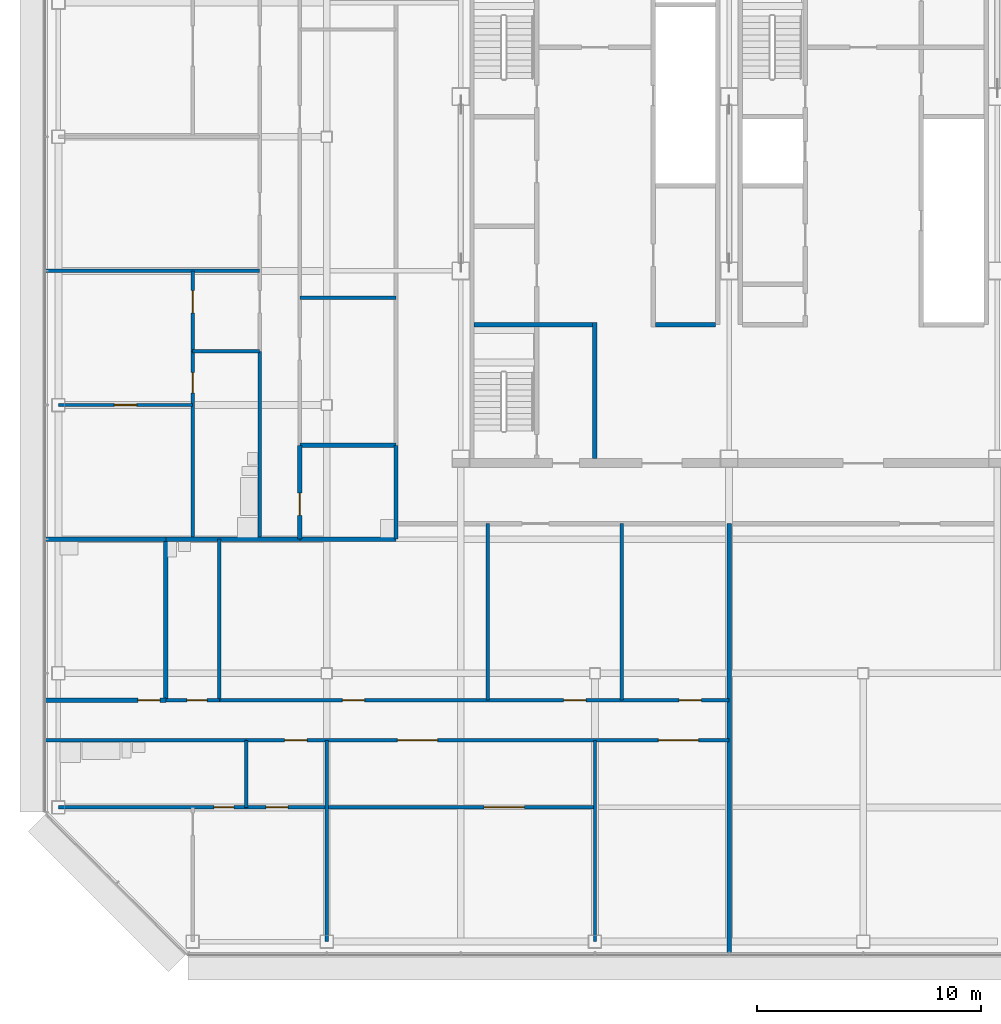
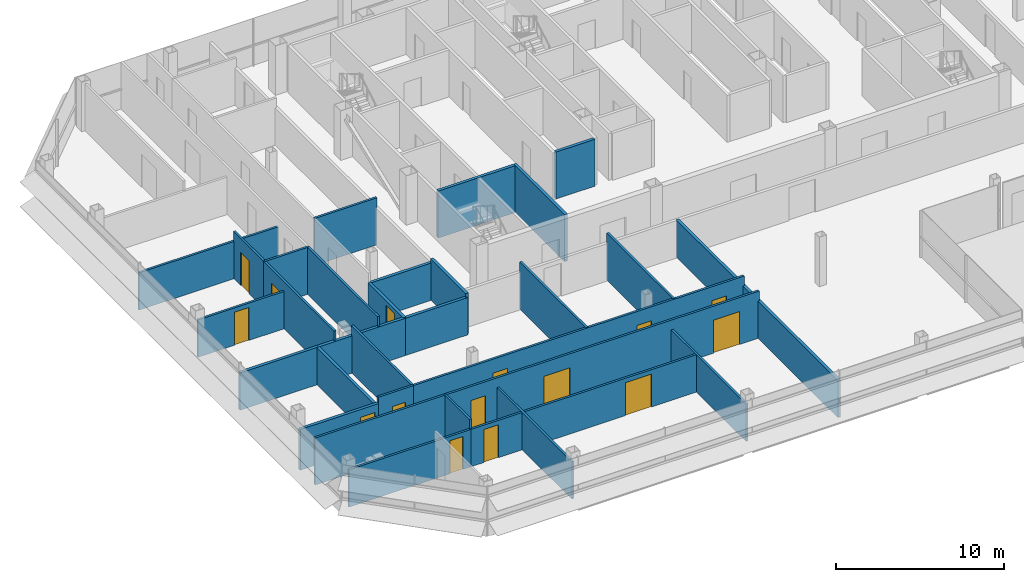
# One storey, part 22 of 30: 31 walls, 15 doors, 15 openings.
"""IFC4 building model written with IfcOpenShell, lengths in metres."""

from ifc_helpers import new_model, si_unit, direction, frame, frame_2d, origin, place, context, subcontext, project, spatial, rectangle, extrude, material, layer, layer_set, type_object, element, fill, save


model = new_model("IFC4")

# Units and contexts
model_context = context("Model", 3, precision=1e-05, world=origin(), true_north=direction((0.0, 1.0)))
body_context = subcontext(model_context, "Body", "Model", "MODEL_VIEW")
ifc_project = project(units=[si_unit("LENGTHUNIT", "METRE"), si_unit("AREAUNIT", "SQUARE_METRE"), si_unit("VOLUMEUNIT", "CUBIC_METRE"), si_unit("PLANEANGLEUNIT", "RADIAN"), si_unit("MASSUNIT", "GRAM", prefix="KILO")], contexts=[model_context])

# Site, building, storey
site_placement = place(None, origin())
site = spatial("IfcSite", under=ifc_project, at=site_placement, CompositionType="ELEMENT")
building_placement = place(site_placement, origin())
building = spatial("IfcBuilding", under=site, at=building_placement, Name="Sorahane Residences", CompositionType="ELEMENT")
storey_placement = place(building_placement, frame((0.0, 0.0, 263.0)))
storey = spatial("IfcBuildingStorey", under=building, at=storey_placement, Name="L62", CompositionType="ELEMENT", Elevation=263.0)

# Walls
ifc_material_1 = material(Name="Concrete blockwork C20 wall", Category="masonry")
ifc_layer_1 = layer(ifc_material_1, 0.199951171875)
ifc_layer_set_1 = layer_set([ifc_layer_1], Name="Corridor wall 200 EI 120")
wall_type_1 = type_object("IfcWallType", Name="Corridor wall 200 EI 120", PredefinedType="SOLIDWALL", material=ifc_layer_set_1)
wall_1_placement = place(storey_placement, frame((18.0, -0.60009765625, 0.0), z_axis=(0.0, 0.0, 1.0), x_axis=(0.0, 1.0, 0.0)))
element("IfcWall", 1, at=wall_1_placement, inside=storey, type_object=wall_type_1, Name="L62 corridor wall", PredefinedType="SOLIDWALL", context=body_context, shape_type="SweptSolid", body=[
    extrude(rectangle(XDim=19.300048828125, YDim=0.199951171875, at=frame_2d((9.64990234375, 0.0))), origin(), (0.0, 0.0, 1.0), 2.719970703125),
])
ifc_material_2 = material(Name="Concrete C30", Category="concrete")
ifc_layer_2 = layer(ifc_material_2, 0.199951171875)
ifc_layer_set_2 = layer_set([ifc_layer_2], Name="Front room wall 200 EI 120")
wall_type_2 = type_object("IfcWallType", Name="Front room wall 200 EI 120", PredefinedType="PARTITIONING", material=ifc_layer_set_2)
wall_2_placement = place(storey_placement, frame((12.0, 21.60009765625, 0.0), z_axis=(0.0, 0.0, 1.0), x_axis=(0.0, 1.0, 0.0)))
element("IfcWall", 2, at=wall_2_placement, inside=storey, type_object=wall_type_2, Name="L62 front room wall", PredefinedType="PARTITIONING", context=body_context, shape_type="SweptSolid", body=[
    extrude(rectangle(XDim=6.099853515625, YDim=0.199951171875, at=frame_2d((3.0498046875, 0.0))), origin(), (0.0, 0.0, 1.0), 3.419921875),
])

# Wall, opening, door
ifc_material_3 = material(Name="Concrete blockwork C20 wall", Category="masonry")
ifc_layer_3 = layer(ifc_material_3, 0.199951171875)
ifc_layer_set_3 = layer_set([ifc_layer_3], Name="Kitchen wall 200 EI 180")
wall_type_3 = type_object("IfcWallType", Name="Kitchen wall 200 EI 180", PredefinedType="SOLIDWALL", material=ifc_layer_set_3)
wall_3_placement = place(storey_placement, frame((-1.199951171875, 18.0, 0.0), z_axis=(0.0, 0.0, 1.0), x_axis=(0.0, 1.0, 0.0)))
wall_3 = element("IfcWall", 3, at=wall_3_placement, inside=storey, type_object=wall_type_3, Name="L62 kitchen wall", PredefinedType="SOLIDWALL", context=body_context, shape_type="SweptSolid", body=[
    extrude(rectangle(XDim=4.199951171875, YDim=0.199951171875, at=frame_2d((2.10009765625, 0.0))), origin(), (0.0, 0.0, 1.0), 2.719970703125),
])
opening_1_placement = place(wall_3_placement, frame((1.06005859375, 0.0, 0.0)))
opening_1 = element("IfcOpeningElement", 4, at=opening_1_placement, cuts=wall_3, Name="Opening L62-14", PredefinedType="OPENING", context=body_context, shape_type="SweptSolid", body=[
    extrude(rectangle(XDim=1.0, YDim=2.39990234375, at=frame_2d((0.5, 1.199951171875))), frame((0.0, 0.10986328125, 0.0), z_axis=(0.0, -1.0, 0.0), x_axis=(1.0, 0.0, 0.0)), (0.0, 0.0, 1.0), 0.219970703125),
])
ifc_material_4 = material(Name="Steel", Category="steel")
door_type_1 = type_object("IfcDoorType", Name="Kitchen door 1000x2400 FD120", OperationType="NOTDEFINED", PredefinedType="DOOR", material=ifc_material_4)
door_1_placement = place(opening_1_placement, frame((1.0, 0.0, 0.0), z_axis=(0.0, 0.0, 1.0), x_axis=(-1.0, 0.0, 0.0)))
door_1 = element("IfcDoor", 5, at=door_1_placement, inside=storey, type_object=door_type_1, Name="Kitchen door L62-14", OperationType="SINGLE_SWING_LEFT", OverallHeight=2.39990234375, OverallWidth=1.0, PredefinedType="DOOR", context=body_context, shape_type="SweptSolid", body=[
    extrude(rectangle(XDim=1.0, YDim=2.39990234375, at=frame_2d((0.5, 1.199951171875))), frame((0.0, 0.02490234375, 0.0), z_axis=(0.0, -1.0, 0.0), x_axis=(1.0, 0.0, 0.0)), (0.0, 0.0, 1.0), 0.050048828125),
])
fill(opening_1, door_1)

# Walls
wall_4_placement = place(storey_placement, frame((-7.199951171875, 10.800048828125, 0.0), z_axis=(0.0, 0.0, 1.0), x_axis=(0.0, 1.0, 0.0)))
element("IfcWall", 6, at=wall_4_placement, inside=storey, type_object=wall_type_3, Name="L62 kitchen wall", PredefinedType="SOLIDWALL", context=body_context, shape_type="SweptSolid", body=[
    extrude(rectangle(XDim=7.199951171875, YDim=0.199951171875, at=frame_2d((3.60009765625, 0.0))), origin(), (0.0, 0.0, 1.0), 2.719970703125),
])
wall_5_placement = place(storey_placement, frame((3.10009765625, 18.0, 0.0), z_axis=(0.0, 0.0, 1.0), x_axis=(0.0, 1.0, 0.0)))
element("IfcWall", 7, at=wall_5_placement, inside=storey, type_object=wall_type_3, Name="L62 kitchen wall", PredefinedType="SOLIDWALL", context=body_context, shape_type="SweptSolid", body=[
    extrude(rectangle(XDim=4.199951171875, YDim=0.199951171875, at=frame_2d((2.10009765625, 0.0))), origin(), (0.0, 0.0, 1.0), 2.969970703125),
])

# Wall, opening, door
wall_6_placement = place(storey_placement, frame((-12.60009765625, 10.800048828125, 0.0), z_axis=(0.0, 0.0, 1.0), x_axis=(1.0, 0.0, 0.0)))
wall_6 = element("IfcWall", 8, at=wall_6_placement, inside=storey, type_object=wall_type_3, Name="L62 kitchen wall", PredefinedType="SOLIDWALL", context=body_context, shape_type="SweptSolid", body=[
    extrude(rectangle(XDim=5.400146484375, YDim=0.199951171875, at=frame_2d((2.7001953125, 0.0))), origin(), (0.0, 0.0, 1.0), 2.969970703125),
])
opening_2_placement = place(wall_6_placement, frame((4.14990234375, 0.0, 0.0)))
opening_2 = element("IfcOpeningElement", 9, at=opening_2_placement, cuts=wall_6, Name="Opening L62-02", PredefinedType="OPENING", context=body_context, shape_type="SweptSolid", body=[
    extrude(rectangle(XDim=1.0, YDim=2.39990234375, at=frame_2d((0.5, 1.199951171875))), frame((0.0, 0.10986328125, 0.0), z_axis=(0.0, -1.0, 0.0), x_axis=(1.0, 0.0, 0.0)), (0.0, 0.0, 1.0), 0.219970703125),
])
door_2_placement = place(opening_2_placement, origin())
door_2 = element("IfcDoor", 10, at=door_2_placement, inside=storey, type_object=door_type_1, Name="Kitchen door L62-02", OperationType="SINGLE_SWING_RIGHT", OverallHeight=2.39990234375, OverallWidth=1.0, PredefinedType="DOOR", context=body_context, shape_type="SweptSolid", body=[
    extrude(rectangle(XDim=1.0, YDim=2.39990234375, at=frame_2d((0.5, 1.199951171875))), frame((0.0, 0.02490234375, 0.0), z_axis=(0.0, -1.0, 0.0), x_axis=(1.0, 0.0, 0.0)), (0.0, 0.0, 1.0), 0.050048828125),
])
fill(opening_2, door_2)

# Walls
wall_7_placement = place(storey_placement, frame((-12.60009765625, 18.0, 0.0), z_axis=(0.0, 0.0, 1.0), x_axis=(1.0, 0.0, 0.0)))
element("IfcWall", 11, at=wall_7_placement, inside=storey, type_object=wall_type_3, Name="L62 kitchen wall", PredefinedType="SOLIDWALL", context=body_context, shape_type="SweptSolid", body=[
    extrude(rectangle(XDim=5.400146484375, YDim=0.199951171875, at=frame_2d((2.7001953125, 0.0))), origin(), (0.0, 0.0, 1.0), 2.719970703125),
])
for number, where, z_axis, x_axis, name in (
    (12, (-1.199951171875, 18.0, 0.0), (0.0, 0.0, 1.0), (1.0, 0.0, 0.0), "L62 kitchen wall"),
    (13, (-1.199951171875, 22.199951171875, 0.0), (0.0, 0.0, 1.0), (1.0, 0.0, 0.0), "L62 kitchen wall"),
):
    element("IfcWall", number, at=place(storey_placement, frame(where, z_axis=z_axis, x_axis=x_axis)), inside=storey, type_object=wall_type_3, Name=name, PredefinedType="SOLIDWALL", context=body_context, shape_type="SweptSolid", body=[
        extrude(rectangle(XDim=4.300048828125, YDim=0.199951171875, at=frame_2d((2.14990234375, 0.0))), origin(), (0.0, 0.0, 1.0), 2.719970703125),
    ])

# Wall, opening, door
ifc_material_5 = material(Name="Gypsum board partition on steel studs", Category="steel")
ifc_layer_4 = layer(ifc_material_5, 0.14990234375)
ifc_layer_set_4 = layer_set([ifc_layer_4], Name="Partition 150 EI 90")
wall_type_4 = type_object("IfcWallType", Name="Partition 150 EI 90", PredefinedType="PARTITIONING", material=ifc_layer_set_4)
wall_8_placement = place(storey_placement, frame((-6.0, 26.39990234375, 0.0), z_axis=(0.0, 0.0, 1.0), x_axis=(0.0, 1.0, 0.0)))
wall_8 = element("IfcWall", 14, at=wall_8_placement, inside=storey, type_object=wall_type_4, Name="L62 partition", PredefinedType="PARTITIONING", context=body_context, shape_type="SweptSolid", body=[
    extrude(rectangle(XDim=3.60009765625, YDim=0.14990234375, at=frame_2d((1.800048828125, 0.0))), origin(), (0.0, 0.0, 1.0), 3.419921875),
])
opening_3_placement = place(wall_8_placement, frame((1.719970703125, 0.0, 0.0)))
opening_3 = element("IfcOpeningElement", 15, at=opening_3_placement, cuts=wall_8, Name="Opening L62-21", PredefinedType="OPENING", context=body_context, shape_type="SweptSolid", body=[
    extrude(rectangle(XDim=1.0, YDim=2.39990234375, at=frame_2d((0.5, 1.199951171875))), frame((0.0, 0.0849609375, 0.0), z_axis=(0.0, -1.0, 0.0), x_axis=(1.0, 0.0, 0.0)), (0.0, 0.0, 1.0), 0.169921875),
])
ifc_material_6 = material(Name="Timber veneered fire door", Category="wood")
door_type_2 = type_object("IfcDoorType", Name="Room door 1000x2400 FD30", OperationType="NOTDEFINED", PredefinedType="DOOR", material=ifc_material_6)
door_3_placement = place(opening_3_placement, origin())
door_3 = element("IfcDoor", 16, at=door_3_placement, inside=storey, type_object=door_type_2, Name="Room door L62-21", OperationType="SINGLE_SWING_RIGHT", OverallHeight=2.39990234375, OverallWidth=1.0, PredefinedType="DOOR", context=body_context, shape_type="SweptSolid", body=[
    extrude(rectangle(XDim=1.0, YDim=2.39990234375, at=frame_2d((0.5, 1.199951171875))), frame((0.0, 0.02490234375, 0.0), z_axis=(0.0, -1.0, 0.0), x_axis=(1.0, 0.0, 0.0)), (0.0, 0.0, 1.0), 0.050048828125),
])
fill(opening_3, door_3)

# Walls
for number, where, z_axis, x_axis, name in (
    (17, (0.0, 0.0, 0.0), (0.0, 0.0, 1.0), (0.0, 1.0, 0.0), "L62 partition"),
    (18, (12.0, 0.0, 0.0), (0.0, 0.0, 1.0), (0.0, 1.0, 0.0), "L62 partition"),
):
    element("IfcWall", number, at=place(storey_placement, frame(where, z_axis=z_axis, x_axis=x_axis)), inside=storey, type_object=wall_type_4, Name=name, PredefinedType="PARTITIONING", context=body_context, shape_type="SweptSolid", body=[
        extrude(rectangle(XDim=9.0, YDim=0.14990234375, at=frame_2d((4.5, 0.0))), origin(), (0.0, 0.0, 1.0), 2.719970703125),
    ])
for number, where, z_axis, x_axis, name in (
    (19, (13.199951171875, 10.800048828125, 0.0), (0.0, 0.0, 1.0), (0.0, 1.0, 0.0), "L62 partition"),
    (20, (7.199951171875, 10.800048828125, 0.0), (0.0, 0.0, 1.0), (0.0, 1.0, 0.0), "L62 partition"),
):
    element("IfcWall", number, at=place(storey_placement, frame(where, z_axis=z_axis, x_axis=x_axis)), inside=storey, type_object=wall_type_4, Name=name, PredefinedType="PARTITIONING", context=body_context, shape_type="SweptSolid", body=[
        extrude(rectangle(XDim=7.89990234375, YDim=0.14990234375, at=frame_2d((3.949951171875, 0.0))), origin(), (0.0, 0.0, 1.0), 3.419921875),
    ])

# Wall, openings, doors
wall_9_placement = place(storey_placement, frame((-4.800048828125, 10.800048828125, 0.0), z_axis=(0.0, 0.0, 1.0), x_axis=(1.0, 0.0, 0.0)))
wall_9 = element("IfcWall", 21, at=wall_9_placement, inside=storey, type_object=wall_type_4, Name="L62 partition", PredefinedType="PARTITIONING", context=body_context, shape_type="SweptSolid", body=[
    extrude(rectangle(XDim=22.800048828125, YDim=0.14990234375, at=frame_2d((11.39990234375, 0.0))), origin(), (0.0, 0.0, 1.0), 3.419921875),
])
opening_4_placement = place(wall_9_placement, frame((15.39990234375, 0.0, 0.0)))
opening_4 = element("IfcOpeningElement", 22, at=opening_4_placement, cuts=wall_9, Name="Opening L62-01", PredefinedType="OPENING", context=body_context, shape_type="SweptSolid", body=[
    extrude(rectangle(XDim=1.0, YDim=2.39990234375, at=frame_2d((0.5, 1.199951171875))), frame((0.0, 0.0849609375, 0.0), z_axis=(0.0, -1.0, 0.0), x_axis=(1.0, 0.0, 0.0)), (0.0, 0.0, 1.0), 0.169921875),
])
opening_5_placement = place(wall_9_placement, frame((5.5, 0.0, 0.0)))
opening_5 = element("IfcOpeningElement", 23, at=opening_5_placement, cuts=wall_9, Name="Opening L62-04", PredefinedType="OPENING", context=body_context, shape_type="SweptSolid", body=[
    extrude(rectangle(XDim=1.0, YDim=2.39990234375, at=frame_2d((0.5, 1.199951171875))), frame((0.0, 0.0849609375, 0.0), z_axis=(0.0, -1.0, 0.0), x_axis=(1.0, 0.0, 0.0)), (0.0, 0.0, 1.0), 0.169921875),
])
opening_6_placement = place(wall_9_placement, frame((20.56005859375, 0.0, 0.0)))
opening_6 = element("IfcOpeningElement", 24, at=opening_6_placement, cuts=wall_9, Name="Opening L62-05", PredefinedType="OPENING", context=body_context, shape_type="SweptSolid", body=[
    extrude(rectangle(XDim=1.0, YDim=2.39990234375, at=frame_2d((0.5, 1.199951171875))), frame((0.0, 0.0849609375, 0.0), z_axis=(0.0, -1.0, 0.0), x_axis=(1.0, 0.0, 0.0)), (0.0, 0.0, 1.0), 0.169921875),
])
door_4_placement = place(opening_4_placement, frame((1.0, 0.0, 0.0), z_axis=(0.0, 0.0, 1.0), x_axis=(-1.0, 0.0, 0.0)))
door_4 = element("IfcDoor", 25, at=door_4_placement, inside=storey, type_object=door_type_2, Name="Room door L62-01", OperationType="SINGLE_SWING_RIGHT", OverallHeight=2.39990234375, OverallWidth=1.0, PredefinedType="DOOR", context=body_context, shape_type="SweptSolid", body=[
    extrude(rectangle(XDim=1.0, YDim=2.39990234375, at=frame_2d((0.5, 1.199951171875))), frame((0.0, 0.02490234375, 0.0), z_axis=(0.0, -1.0, 0.0), x_axis=(1.0, 0.0, 0.0)), (0.0, 0.0, 1.0), 0.050048828125),
])
fill(opening_4, door_4)
door_5_placement = place(opening_5_placement, origin())
door_5 = element("IfcDoor", 26, at=door_5_placement, inside=storey, type_object=door_type_2, Name="Room door L62-04", OperationType="SINGLE_SWING_LEFT", OverallHeight=2.39990234375, OverallWidth=1.0, PredefinedType="DOOR", context=body_context, shape_type="SweptSolid", body=[
    extrude(rectangle(XDim=1.0, YDim=2.39990234375, at=frame_2d((0.5, 1.199951171875))), frame((0.0, 0.02490234375, 0.0), z_axis=(0.0, -1.0, 0.0), x_axis=(1.0, 0.0, 0.0)), (0.0, 0.0, 1.0), 0.050048828125),
])
fill(opening_5, door_5)
door_6_placement = place(opening_6_placement, origin())
door_6 = element("IfcDoor", 27, at=door_6_placement, inside=storey, type_object=door_type_2, Name="Room door L62-05", OperationType="SINGLE_SWING_RIGHT", OverallHeight=2.39990234375, OverallWidth=1.0, PredefinedType="DOOR", context=body_context, shape_type="SweptSolid", body=[
    extrude(rectangle(XDim=1.0, YDim=2.39990234375, at=frame_2d((0.5, 1.199951171875))), frame((0.0, 0.02490234375, 0.0), z_axis=(0.0, -1.0, 0.0), x_axis=(1.0, 0.0, 0.0)), (0.0, 0.0, 1.0), 0.050048828125),
])
fill(opening_6, door_6)

# Wall, opening, door
wall_10_placement = place(storey_placement, frame((-12.0, 24.0, 0.0), z_axis=(0.0, 0.0, 1.0), x_axis=(1.0, 0.0, 0.0)))
wall_10 = element("IfcWall", 28, at=wall_10_placement, inside=storey, type_object=wall_type_4, Name="L62 partition", PredefinedType="PARTITIONING", context=body_context, shape_type="SweptSolid", body=[
    extrude(rectangle(XDim=6.0, YDim=0.14990234375, at=frame_2d((3.0, 0.0))), origin(), (0.0, 0.0, 1.0), 2.719970703125),
])
opening_7_placement = place(wall_10_placement, frame((2.5, 0.0, 0.0)))
opening_7 = element("IfcOpeningElement", 29, at=opening_7_placement, cuts=wall_10, Name="Opening L62-22", PredefinedType="OPENING", context=body_context, shape_type="SweptSolid", body=[
    extrude(rectangle(XDim=1.0, YDim=2.39990234375, at=frame_2d((0.5, 1.199951171875))), frame((0.0, 0.0849609375, 0.0), z_axis=(0.0, -1.0, 0.0), x_axis=(1.0, 0.0, 0.0)), (0.0, 0.0, 1.0), 0.169921875),
])
door_7_placement = place(opening_7_placement, frame((1.0, 0.0, 0.0), z_axis=(0.0, 0.0, 1.0), x_axis=(-1.0, 0.0, 0.0)))
door_7 = element("IfcDoor", 30, at=door_7_placement, inside=storey, type_object=door_type_2, Name="Room door L62-22", OperationType="SINGLE_SWING_RIGHT", OverallHeight=2.39990234375, OverallWidth=1.0, PredefinedType="DOOR", context=body_context, shape_type="SweptSolid", body=[
    extrude(rectangle(XDim=1.0, YDim=2.39990234375, at=frame_2d((0.5, 1.199951171875))), frame((0.0, 0.02490234375, 0.0), z_axis=(0.0, -1.0, 0.0), x_axis=(1.0, 0.0, 0.0)), (0.0, 0.0, 1.0), 0.050048828125),
])
fill(opening_7, door_7)

# Walls
wall_11_placement = place(storey_placement, frame((-1.199951171875, 28.800048828125, 0.0), z_axis=(0.0, 0.0, 1.0), x_axis=(1.0, 0.0, 0.0)))
element("IfcWall", 31, at=wall_11_placement, inside=storey, type_object=wall_type_4, Name="L62 partition", PredefinedType="PARTITIONING", context=body_context, shape_type="SweptSolid", body=[
    extrude(rectangle(XDim=4.300048828125, YDim=0.14990234375, at=frame_2d((2.14990234375, 0.0))), origin(), (0.0, 0.0, 1.0), 3.419921875),
])
wall_12_placement = place(storey_placement, frame((-12.60009765625, 30.0, 0.0), z_axis=(0.0, 0.0, 1.0), x_axis=(1.0, 0.0, 0.0)))
element("IfcWall", 32, at=wall_12_placement, inside=storey, type_object=wall_type_4, Name="L62 partition", PredefinedType="PARTITIONING", context=body_context, shape_type="SweptSolid", body=[
    extrude(rectangle(XDim=9.60009765625, YDim=0.14990234375, at=frame_2d((4.800048828125, 0.0))), origin(), (0.0, 0.0, 1.0), 2.719970703125),
])

# Wall, openings, doors
wall_13_placement = place(storey_placement, frame((-3.60009765625, 6.0, 0.0), z_axis=(0.0, 0.0, 1.0), x_axis=(1.0, 0.0, 0.0)))
wall_13 = element("IfcWall", 33, at=wall_13_placement, inside=storey, type_object=wall_type_4, Name="L62 partition", PredefinedType="PARTITIONING", context=body_context, shape_type="SweptSolid", body=[
    extrude(rectangle(XDim=15.60009765625, YDim=0.14990234375, at=frame_2d((7.800048828125, 0.0))), origin(), (0.0, 0.0, 1.0), 2.719970703125),
])
opening_8_placement = place(wall_13_placement, frame((0.8798828125, 0.0, 0.0)))
opening_8 = element("IfcOpeningElement", 34, at=opening_8_placement, cuts=wall_13, Name="Opening L62-09", PredefinedType="OPENING", context=body_context, shape_type="SweptSolid", body=[
    extrude(rectangle(XDim=1.0, YDim=2.39990234375, at=frame_2d((0.5, 1.199951171875))), frame((0.0, 0.0849609375, 0.0), z_axis=(0.0, -1.0, 0.0), x_axis=(1.0, 0.0, 0.0)), (0.0, 0.0, 1.0), 0.169921875),
])
opening_9_placement = place(wall_13_placement, frame((10.639892578125, 0.0, 0.0)))
opening_9 = element("IfcOpeningElement", 35, at=opening_9_placement, cuts=wall_13, Name="Opening L62-12", PredefinedType="OPENING", context=body_context, shape_type="SweptSolid", body=[
    extrude(rectangle(XDim=1.800048828125, YDim=2.39990234375, at=frame_2d((0.89990234375, 1.199951171875))), frame((0.0, 0.0849609375, 0.0), z_axis=(0.0, -1.0, 0.0), x_axis=(1.0, 0.0, 0.0)), (0.0, 0.0, 1.0), 0.169921875),
])
ifc_material_7 = material(Name="Timber veneered fire door", Category="wood")
door_type_3 = type_object("IfcDoorType", Name="Double door 1800x2400 FD30", OperationType="NOTDEFINED", PredefinedType="DOOR", material=ifc_material_7)
door_8_placement = place(opening_9_placement, frame((1.800048828125, 0.0, 0.0), z_axis=(0.0, 0.0, 1.0), x_axis=(-1.0, 0.0, 0.0)))
door_8 = element("IfcDoor", 36, at=door_8_placement, inside=storey, type_object=door_type_3, Name="Double door L62-12", OperationType="SINGLE_SWING_LEFT", OverallHeight=2.39990234375, OverallWidth=1.800048828125, PredefinedType="DOOR", context=body_context, shape_type="SweptSolid", body=[
    extrude(rectangle(XDim=1.800048828125, YDim=2.39990234375, at=frame_2d((0.89990234375, 1.199951171875))), frame((0.0, 0.02490234375, 0.0), z_axis=(0.0, -1.0, 0.0), x_axis=(1.0, 0.0, 0.0)), (0.0, 0.0, 1.0), 0.050048828125),
])
fill(opening_9, door_8)
door_9_placement = place(opening_8_placement, frame((1.0, 0.0, 0.0), z_axis=(0.0, 0.0, 1.0), x_axis=(-1.0, 0.0, 0.0)))
door_9 = element("IfcDoor", 37, at=door_9_placement, inside=storey, type_object=door_type_2, Name="Room door L62-09", OperationType="SINGLE_SWING_LEFT", OverallHeight=2.39990234375, OverallWidth=1.0, PredefinedType="DOOR", context=body_context, shape_type="SweptSolid", body=[
    extrude(rectangle(XDim=1.0, YDim=2.39990234375, at=frame_2d((0.5, 1.199951171875))), frame((0.0, 0.02490234375, 0.0), z_axis=(0.0, -1.0, 0.0), x_axis=(1.0, 0.0, 0.0)), (0.0, 0.0, 1.0), 0.050048828125),
])
fill(opening_8, door_9)

wall_14_placement = place(storey_placement, frame((-3.60009765625, 9.0, 0.0), z_axis=(0.0, 0.0, 1.0), x_axis=(1.0, 0.0, 0.0)))
wall_14 = element("IfcWall", 38, at=wall_14_placement, inside=storey, type_object=wall_type_4, Name="L62 partition", PredefinedType="PARTITIONING", context=body_context, shape_type="SweptSolid", body=[
    extrude(rectangle(XDim=21.60009765625, YDim=0.14990234375, at=frame_2d((10.800048828125, 0.0))), origin(), (0.0, 0.0, 1.0), 3.419921875),
])
opening_10_placement = place(wall_14_placement, frame((1.719970703125, 0.0, 0.0)))
opening_10 = element("IfcOpeningElement", 39, at=opening_10_placement, cuts=wall_14, Name="Opening L62-06", PredefinedType="OPENING", context=body_context, shape_type="SweptSolid", body=[
    extrude(rectangle(XDim=1.0, YDim=2.39990234375, at=frame_2d((0.5, 1.199951171875))), frame((0.0, 0.0849609375, 0.0), z_axis=(0.0, -1.0, 0.0), x_axis=(1.0, 0.0, 0.0)), (0.0, 0.0, 1.0), 0.169921875),
])
opening_11_placement = place(wall_14_placement, frame((6.760009765625, 0.0, 0.0)))
opening_11 = element("IfcOpeningElement", 40, at=opening_11_placement, cuts=wall_14, Name="Opening L62-07", PredefinedType="OPENING", context=body_context, shape_type="SweptSolid", body=[
    extrude(rectangle(XDim=1.800048828125, YDim=2.39990234375, at=frame_2d((0.89990234375, 1.199951171875))), frame((0.0, 0.0849609375, 0.0), z_axis=(0.0, -1.0, 0.0), x_axis=(1.0, 0.0, 0.0)), (0.0, 0.0, 1.0), 0.169921875),
])
opening_12_placement = place(wall_14_placement, frame((18.43994140625, 0.0, 0.0)))
opening_12 = element("IfcOpeningElement", 41, at=opening_12_placement, cuts=wall_14, Name="Opening L62-08", PredefinedType="OPENING", context=body_context, shape_type="SweptSolid", body=[
    extrude(rectangle(XDim=1.800048828125, YDim=2.39990234375, at=frame_2d((0.89990234375, 1.199951171875))), frame((0.0, 0.0849609375, 0.0), z_axis=(0.0, -1.0, 0.0), x_axis=(1.0, 0.0, 0.0)), (0.0, 0.0, 1.0), 0.169921875),
])
door_10_placement = place(opening_11_placement, frame((1.800048828125, 0.0, 0.0), z_axis=(0.0, 0.0, 1.0), x_axis=(-1.0, 0.0, 0.0)))
door_10 = element("IfcDoor", 42, at=door_10_placement, inside=storey, type_object=door_type_3, Name="Double door L62-07", OperationType="SINGLE_SWING_LEFT", OverallHeight=2.39990234375, OverallWidth=1.800048828125, PredefinedType="DOOR", context=body_context, shape_type="SweptSolid", body=[
    extrude(rectangle(XDim=1.800048828125, YDim=2.39990234375, at=frame_2d((0.89990234375, 1.199951171875))), frame((0.0, 0.02490234375, 0.0), z_axis=(0.0, -1.0, 0.0), x_axis=(1.0, 0.0, 0.0)), (0.0, 0.0, 1.0), 0.050048828125),
])
fill(opening_11, door_10)
door_11_placement = place(opening_12_placement, frame((1.800048828125, 0.0, 0.0), z_axis=(0.0, 0.0, 1.0), x_axis=(-1.0, 0.0, 0.0)))
door_11 = element("IfcDoor", 43, at=door_11_placement, inside=storey, type_object=door_type_3, Name="Double door L62-08", OperationType="SINGLE_SWING_RIGHT", OverallHeight=2.39990234375, OverallWidth=1.800048828125, PredefinedType="DOOR", context=body_context, shape_type="SweptSolid", body=[
    extrude(rectangle(XDim=1.800048828125, YDim=2.39990234375, at=frame_2d((0.89990234375, 1.199951171875))), frame((0.0, 0.02490234375, 0.0), z_axis=(0.0, -1.0, 0.0), x_axis=(1.0, 0.0, 0.0)), (0.0, 0.0, 1.0), 0.050048828125),
])
fill(opening_12, door_11)
door_12_placement = place(opening_10_placement, frame((1.0, 0.0, 0.0), z_axis=(0.0, 0.0, 1.0), x_axis=(-1.0, 0.0, 0.0)))
door_12 = element("IfcDoor", 44, at=door_12_placement, inside=storey, type_object=door_type_2, Name="Room door L62-06", OperationType="SINGLE_SWING_LEFT", OverallHeight=2.39990234375, OverallWidth=1.0, PredefinedType="DOOR", context=body_context, shape_type="SweptSolid", body=[
    extrude(rectangle(XDim=1.0, YDim=2.39990234375, at=frame_2d((0.5, 1.199951171875))), frame((0.0, 0.02490234375, 0.0), z_axis=(0.0, -1.0, 0.0), x_axis=(1.0, 0.0, 0.0)), (0.0, 0.0, 1.0), 0.050048828125),
])
fill(opening_10, door_12)

# Walls
ifc_material_8 = material(Name="Concrete blockwork C20 wall", Category="masonry")
ifc_layer_5 = layer(ifc_material_8, 0.199951171875)
ifc_layer_set_5 = layer_set([ifc_layer_5], Name="Party wall 200 EI 120")
wall_type_5 = type_object("IfcWallType", Name="Party wall 200 EI 120", PredefinedType="SOLIDWALL", material=ifc_layer_set_5)
wall_15_placement = place(storey_placement, frame((-7.199951171875, 18.0, 0.0), z_axis=(0.0, 0.0, 1.0), x_axis=(1.0, 0.0, 0.0)))
element("IfcWall", 45, at=wall_15_placement, inside=storey, type_object=wall_type_5, Name="L62 party wall", PredefinedType="SOLIDWALL", context=body_context, shape_type="SweptSolid", body=[
    extrude(rectangle(XDim=6.0, YDim=0.199951171875, at=frame_2d((3.0, 0.0))), origin(), (0.0, 0.0, 1.0), 2.719970703125),
])
ifc_material_9 = material(Name="Concrete C30", Category="concrete")
ifc_layer_6 = layer(ifc_material_9, 0.199951171875)
ifc_layer_set_6 = layer_set([ifc_layer_6], Name="Service room partition 200 EI 60")
wall_type_6 = type_object("IfcWallType", Name="Service room partition 200 EI 60", PredefinedType="PARTITIONING", material=ifc_layer_set_6)
wall_16_placement = place(storey_placement, frame((14.699951171875, 27.60009765625, 0.0), z_axis=(0.0, 0.0, 1.0), x_axis=(1.0, 0.0, 0.0)))
element("IfcWall", 46, at=wall_16_placement, inside=storey, type_object=wall_type_6, Name="L62 service room wall", PredefinedType="PARTITIONING", context=body_context, shape_type="SweptSolid", body=[
    extrude(rectangle(XDim=2.699951171875, YDim=0.199951171875, at=frame_2d((1.35009765625, 0.0))), origin(), (0.0, 0.0, 1.0), 3.419921875),
])
ifc_material_10 = material(Name="Concrete C30", Category="concrete")
ifc_layer_7 = layer(ifc_material_10, 0.199951171875)
ifc_layer_set_7 = layer_set([ifc_layer_7], Name="Stair enclosure wall 200 EI 120")
wall_type_7 = type_object("IfcWallType", Name="Stair enclosure wall 200 EI 120", PredefinedType="SOLIDWALL", material=ifc_layer_set_7)
wall_17_placement = place(storey_placement, frame((6.60009765625, 27.60009765625, 0.0), z_axis=(0.0, 0.0, 1.0), x_axis=(1.0, 0.0, 0.0)))
element("IfcWall", 47, at=wall_17_placement, inside=storey, type_object=wall_type_7, Name="L62 stair enclosure wall", PredefinedType="SOLIDWALL", context=body_context, shape_type="SweptSolid", body=[
    extrude(rectangle(XDim=5.2998046875, YDim=0.199951171875, at=frame_2d((2.64990234375, 0.0))), origin(), (0.0, 0.0, 1.0), 3.419921875),
])
ifc_material_11 = material(Name="Gypsum board partition on steel studs", Category="steel")
ifc_layer_8 = layer(ifc_material_11, 0.14990234375)
ifc_layer_set_8 = layer_set([ifc_layer_8], Name="Wet wall 150 EI 90")
wall_type_8 = type_object("IfcWallType", Name="Wet wall 150 EI 90", PredefinedType="PARTITIONING", material=ifc_layer_set_8)
wall_18_placement = place(storey_placement, frame((-3.0, 18.0, 0.0), z_axis=(0.0, 0.0, 1.0), x_axis=(0.0, 1.0, 0.0)))
element("IfcWall", 48, at=wall_18_placement, inside=storey, type_object=wall_type_8, Name="L62 wet wall", PredefinedType="PARTITIONING", context=body_context, shape_type="SweptSolid", body=[
    extrude(rectangle(XDim=8.39990234375, YDim=0.14990234375, at=frame_2d((4.199951171875, 0.0))), origin(), (0.0, 0.0, 1.0), 3.419921875),
])
wall_19_placement = place(storey_placement, frame((-3.60009765625, 6.0, 0.0), z_axis=(0.0, 0.0, 1.0), x_axis=(0.0, 1.0, 0.0)))
element("IfcWall", 49, at=wall_19_placement, inside=storey, type_object=wall_type_8, Name="L62 wet wall", PredefinedType="PARTITIONING", context=body_context, shape_type="SweptSolid", body=[
    extrude(rectangle(XDim=3.0, YDim=0.14990234375, at=frame_2d((1.5, 0.0))), origin(), (0.0, 0.0, 1.0), 3.419921875),
])
wall_20_placement = place(storey_placement, frame((-4.800048828125, 10.800048828125, 0.0), z_axis=(0.0, 0.0, 1.0), x_axis=(0.0, 1.0, 0.0)))
element("IfcWall", 50, at=wall_20_placement, inside=storey, type_object=wall_type_8, Name="L62 wet wall", PredefinedType="PARTITIONING", context=body_context, shape_type="SweptSolid", body=[
    extrude(rectangle(XDim=7.199951171875, YDim=0.14990234375, at=frame_2d((3.60009765625, 0.0))), origin(), (0.0, 0.0, 1.0), 3.419921875),
])

# Wall, opening, door
wall_21_placement = place(storey_placement, frame((-6.0, 18.0, 0.0), z_axis=(0.0, 0.0, 1.0), x_axis=(0.0, 1.0, 0.0)))
wall_21 = element("IfcWall", 51, at=wall_21_placement, inside=storey, type_object=wall_type_8, Name="L62 wet wall", PredefinedType="PARTITIONING", context=body_context, shape_type="SweptSolid", body=[
    extrude(rectangle(XDim=8.39990234375, YDim=0.14990234375, at=frame_2d((4.199951171875, 0.0))), origin(), (0.0, 0.0, 1.0), 3.419921875),
])
opening_13_placement = place(wall_21_placement, frame((6.550048828125, 0.0, 0.0)))
opening_13 = element("IfcOpeningElement", 52, at=opening_13_placement, cuts=wall_21, Name="Opening L62-23", PredefinedType="OPENING", context=body_context, shape_type="SweptSolid", body=[
    extrude(rectangle(XDim=0.89990234375, YDim=2.39990234375, at=frame_2d((0.449951171875, 1.199951171875))), frame((0.0, 0.0849609375, 0.0), z_axis=(0.0, -1.0, 0.0), x_axis=(1.0, 0.0, 0.0)), (0.0, 0.0, 1.0), 0.169921875),
])
ifc_material_12 = material(Name="Timber veneered fire door", Category="wood")
door_type_4 = type_object("IfcDoorType", Name="Bathroom door 900x2400 FD30", OperationType="NOTDEFINED", PredefinedType="DOOR", material=ifc_material_12)
door_13_placement = place(opening_13_placement, origin())
door_13 = element("IfcDoor", 53, at=door_13_placement, inside=storey, type_object=door_type_4, Name="Bathroom door L62-23", OperationType="SINGLE_SWING_LEFT", OverallHeight=2.39990234375, OverallWidth=0.89990234375, PredefinedType="DOOR", context=body_context, shape_type="SweptSolid", body=[
    extrude(rectangle(XDim=0.89990234375, YDim=2.39990234375, at=frame_2d((0.449951171875, 1.199951171875))), frame((0.0, 0.02490234375, 0.0), z_axis=(0.0, -1.0, 0.0), x_axis=(1.0, 0.0, 0.0)), (0.0, 0.0, 1.0), 0.050048828125),
])
fill(opening_13, door_13)

wall_22_placement = place(storey_placement, frame((-7.199951171875, 10.800048828125, 0.0), z_axis=(0.0, 0.0, 1.0), x_axis=(1.0, 0.0, 0.0)))
wall_22 = element("IfcWall", 54, at=wall_22_placement, inside=storey, type_object=wall_type_8, Name="L62 wet wall", PredefinedType="PARTITIONING", context=body_context, shape_type="SweptSolid", body=[
    extrude(rectangle(XDim=2.39990234375, YDim=0.14990234375, at=frame_2d((1.199951171875, 0.0))), origin(), (0.0, 0.0, 1.0), 3.419921875),
])
opening_14_placement = place(wall_22_placement, frame((0.949951171875, 0.0, 0.0)))
opening_14 = element("IfcOpeningElement", 55, at=opening_14_placement, cuts=wall_22, Name="Opening L62-03", PredefinedType="OPENING", context=body_context, shape_type="SweptSolid", body=[
    extrude(rectangle(XDim=0.89990234375, YDim=2.39990234375, at=frame_2d((0.449951171875, 1.199951171875))), frame((0.0, 0.0849609375, 0.0), z_axis=(0.0, -1.0, 0.0), x_axis=(1.0, 0.0, 0.0)), (0.0, 0.0, 1.0), 0.169921875),
])
door_14_placement = place(opening_14_placement, frame((0.89990234375, 0.0, 0.0), z_axis=(0.0, 0.0, 1.0), x_axis=(-1.0, 0.0, 0.0)))
door_14 = element("IfcDoor", 56, at=door_14_placement, inside=storey, type_object=door_type_4, Name="Bathroom door L62-03", OperationType="SINGLE_SWING_LEFT", OverallHeight=2.39990234375, OverallWidth=0.89990234375, PredefinedType="DOOR", context=body_context, shape_type="SweptSolid", body=[
    extrude(rectangle(XDim=0.89990234375, YDim=2.39990234375, at=frame_2d((0.449951171875, 1.199951171875))), frame((0.0, 0.02490234375, 0.0), z_axis=(0.0, -1.0, 0.0), x_axis=(1.0, 0.0, 0.0)), (0.0, 0.0, 1.0), 0.050048828125),
])
fill(opening_14, door_14)

# Wall
wall_23_placement = place(storey_placement, frame((-6.0, 26.39990234375, 0.0), z_axis=(0.0, 0.0, 1.0), x_axis=(1.0, 0.0, 0.0)))
element("IfcWall", 57, at=wall_23_placement, inside=storey, type_object=wall_type_8, Name="L62 wet wall", PredefinedType="PARTITIONING", context=body_context, shape_type="SweptSolid", body=[
    extrude(rectangle(XDim=3.0, YDim=0.14990234375, at=frame_2d((1.5, 0.0))), origin(), (0.0, 0.0, 1.0), 3.419921875),
])

# Wall, opening, door
wall_24_placement = place(storey_placement, frame((-12.0, 6.0, 0.0), z_axis=(0.0, 0.0, 1.0), x_axis=(1.0, 0.0, 0.0)))
wall_24 = element("IfcWall", 58, at=wall_24_placement, inside=storey, type_object=wall_type_8, Name="L62 wet wall", PredefinedType="PARTITIONING", context=body_context, shape_type="SweptSolid", body=[
    extrude(rectangle(XDim=8.39990234375, YDim=0.14990234375, at=frame_2d((4.199951171875, 0.0))), origin(), (0.0, 0.0, 1.0), 2.719970703125),
])
opening_15_placement = place(wall_24_placement, frame((6.949951171875, 0.0, 0.0)))
opening_15 = element("IfcOpeningElement", 59, at=opening_15_placement, cuts=wall_24, Name="Opening L62-11", PredefinedType="OPENING", context=body_context, shape_type="SweptSolid", body=[
    extrude(rectangle(XDim=0.89990234375, YDim=2.39990234375, at=frame_2d((0.449951171875, 1.199951171875))), frame((0.0, 0.0849609375, 0.0), z_axis=(0.0, -1.0, 0.0), x_axis=(1.0, 0.0, 0.0)), (0.0, 0.0, 1.0), 0.169921875),
])
door_15_placement = place(opening_15_placement, frame((0.89990234375, 0.0, 0.0), z_axis=(0.0, 0.0, 1.0), x_axis=(-1.0, 0.0, 0.0)))
door_15 = element("IfcDoor", 60, at=door_15_placement, inside=storey, type_object=door_type_4, Name="Bathroom door L62-11", OperationType="SINGLE_SWING_LEFT", OverallHeight=2.39990234375, OverallWidth=0.89990234375, PredefinedType="DOOR", context=body_context, shape_type="SweptSolid", body=[
    extrude(rectangle(XDim=0.89990234375, YDim=2.39990234375, at=frame_2d((0.449951171875, 1.199951171875))), frame((0.0, 0.02490234375, 0.0), z_axis=(0.0, -1.0, 0.0), x_axis=(1.0, 0.0, 0.0)), (0.0, 0.0, 1.0), 0.050048828125),
])
fill(opening_15, door_15)

# Wall
wall_25_placement = place(storey_placement, frame((-12.60009765625, 9.0, 0.0), z_axis=(0.0, 0.0, 1.0), x_axis=(1.0, 0.0, 0.0)))
element("IfcWall", 61, at=wall_25_placement, inside=storey, type_object=wall_type_8, Name="L62 wet wall", PredefinedType="PARTITIONING", context=body_context, shape_type="SweptSolid", body=[
    extrude(rectangle(XDim=9.0, YDim=0.14990234375, at=frame_2d((4.5, 0.0))), origin(), (0.0, 0.0, 1.0), 3.419921875),
])

save(model, "model.ifc")
